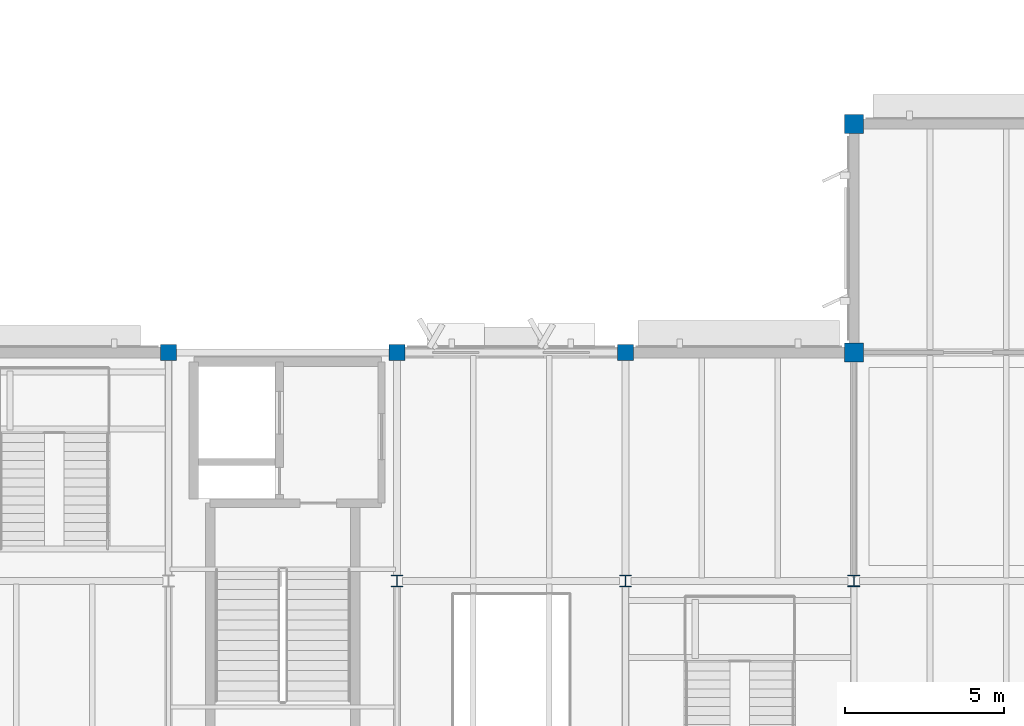
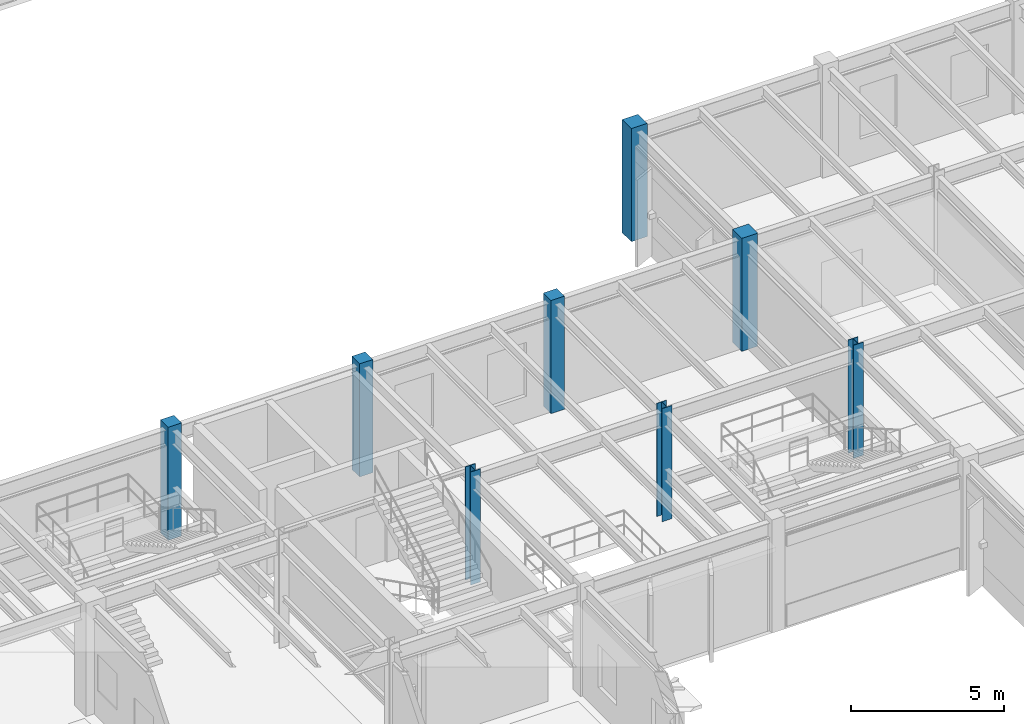
# One storey, part 4 of 92: 8 columns.
"""IFC4 building model written with IfcOpenShell, lengths in metres."""

from ifc_helpers import new_model, si_unit, direction, frame, origin, origin_2d, place, context, subcontext, project, spatial, rectangle, i_section, extrude, material, material_profile, profile_set, type_object, element, save


model = new_model("IFC4")

# Units and contexts
model_context = context("Model", 3, precision=1e-05, world=origin(), true_north=direction((0.0, 1.0)))
body_context = subcontext(model_context, "Body", "Model", "MODEL_VIEW")
ifc_project = project(units=[si_unit("LENGTHUNIT", "METRE"), si_unit("AREAUNIT", "SQUARE_METRE"), si_unit("VOLUMEUNIT", "CUBIC_METRE"), si_unit("PLANEANGLEUNIT", "RADIAN"), si_unit("MASSUNIT", "GRAM", prefix="KILO")], contexts=[model_context])

# Site, building, storey
site_placement = place(None, origin())
site = spatial("IfcSite", under=ifc_project, at=site_placement, CompositionType="ELEMENT")
building_placement = place(site_placement, origin())
building = spatial("IfcBuilding", under=site, at=building_placement, Name="Sillqori Civic Hall", CompositionType="ELEMENT")
storey_placement = place(building_placement, frame((0.0, 0.0, 5.39990234375)))
storey = spatial("IfcBuildingStorey", under=building, at=storey_placement, Name="L02", CompositionType="ELEMENT", Elevation=5.39990234375)

# Columns
ifc_material_1 = material(Name="Concrete C35/45 (H35)", Category="concrete")
ifc_material_profile_1 = material_profile(ifc_material_1, rectangle(XDim=0.5, YDim=0.5, at=origin_2d()), Name="RC 500x500")
ifc_profile_set_1 = profile_set([ifc_material_profile_1], Name="Concrete C35/45 (H35)")
column_type_1 = type_object("IfcColumnType", Name="COL-RC500", PredefinedType="COLUMN", material=ifc_profile_set_1)
for number, where, z_axis, x_axis, name in (
    (1, (43.199951171875, 50.39990234375, 0.0), (0.0, 0.0, 1.0), (1.0, 0.0, 0.0), "L02 column 6-7"),
    (2, (50.39990234375, 50.39990234375, 0.0), (0.0, 0.0, 1.0), (1.0, 0.0, 0.0), "L02 column 7-7"),
    (3, (57.60009765625, 50.39990234375, 0.0), (0.0, 0.0, 1.0), (1.0, 0.0, 0.0), "L02 column 8-7"),
):
    element("IfcColumn", number, at=place(storey_placement, frame(where, z_axis=z_axis, x_axis=x_axis)), inside=storey, type_object=column_type_1, Name=name, PredefinedType="COLUMN", context=body_context, shape_type="SweptSolid", body=[
        extrude(rectangle(XDim=0.5, YDim=0.5, at=origin_2d()), origin(), (0.0, 0.0, 1.0), 4.5),
    ])
ifc_material_profile_2 = material_profile(ifc_material_1, rectangle(XDim=0.60009765625, YDim=0.60009765625, at=origin_2d()), Name="RC 600x600")
ifc_profile_set_2 = profile_set([ifc_material_profile_2], Name="Concrete C35/45 (H35)")
column_type_2 = type_object("IfcColumnType", Name="COL-RC600", PredefinedType="COLUMN", material=ifc_profile_set_2)
for number, where, z_axis, x_axis, name in (
    (4, (64.800048828125, 50.39990234375, 0.0), (0.0, 0.0, 1.0), (1.0, 0.0, 0.0), "L02 column 9-7"),
    (5, (64.800048828125, 57.60009765625, 0.0), (0.0, 0.0, 1.0), (1.0, 0.0, 0.0), "L02 column 9-8"),
):
    element("IfcColumn", number, at=place(storey_placement, frame(where, z_axis=z_axis, x_axis=x_axis)), inside=storey, type_object=column_type_2, Name=name, PredefinedType="COLUMN", context=body_context, shape_type="SweptSolid", body=[
        extrude(rectangle(XDim=0.60009765625, YDim=0.60009765625, at=origin_2d()), origin(), (0.0, 0.0, 1.0), 4.5),
    ])
ifc_material_2 = material(Name="Steel ASTM A992", Category="steel")
ifc_material_profile_3 = material_profile(ifc_material_2, i_section(OverallWidth=0.373046875, OverallDepth=0.367919921875, WebThickness=0.014892578125, FlangeThickness=0.02392578125, FilletRadius=0.014892578125, at=origin_2d()), Name="W14X120")
ifc_profile_set_3 = profile_set([ifc_material_profile_3], Name="Steel ASTM A992")
column_type_3 = type_object("IfcColumnType", Name="COL-W14X120", PredefinedType="COLUMN", material=ifc_profile_set_3)
column_placement = place(storey_placement, frame((64.800048828125, 43.199951171875, 0.0), z_axis=(0.0, 0.0, 1.0), x_axis=(1.0, 0.0, 0.0)))
element("IfcColumn", 6, at=column_placement, inside=storey, type_object=column_type_3, Name="L02 column 9-6", PredefinedType="COLUMN", context=body_context, shape_type="SweptSolid", body=[
    extrude(i_section(OverallWidth=0.373046875, OverallDepth=0.367919921875, WebThickness=0.014892578125, FlangeThickness=0.02392578125, FilletRadius=0.014892578125, at=origin_2d()), origin(), (0.0, 0.0, 1.0), 4.5),
])
ifc_material_profile_4 = material_profile(ifc_material_2, i_section(OverallWidth=0.37109375, OverallDepth=0.361083984375, WebThickness=0.012451171875, FlangeThickness=0.019775390625, FilletRadius=0.014892578125, at=origin_2d()), Name="W14X99")
ifc_profile_set_4 = profile_set([ifc_material_profile_4], Name="Steel ASTM A992")
column_type_4 = type_object("IfcColumnType", Name="COL-W14X99", PredefinedType="COLUMN", material=ifc_profile_set_4)
for number, where, z_axis, x_axis, name in (
    (7, (50.39990234375, 43.199951171875, 0.0), (0.0, 0.0, 1.0), (1.0, 0.0, 0.0), "L02 column 7-6"),
    (8, (57.60009765625, 43.199951171875, 0.0), (0.0, 0.0, 1.0), (1.0, 0.0, 0.0), "L02 column 8-6"),
):
    element("IfcColumn", number, at=place(storey_placement, frame(where, z_axis=z_axis, x_axis=x_axis)), inside=storey, type_object=column_type_4, Name=name, PredefinedType="COLUMN", context=body_context, shape_type="SweptSolid", body=[
        extrude(i_section(OverallWidth=0.37109375, OverallDepth=0.361083984375, WebThickness=0.012451171875, FlangeThickness=0.019775390625, FilletRadius=0.014892578125, at=origin_2d()), origin(), (0.0, 0.0, 1.0), 4.5),
    ])

save(model, "model.ifc")
